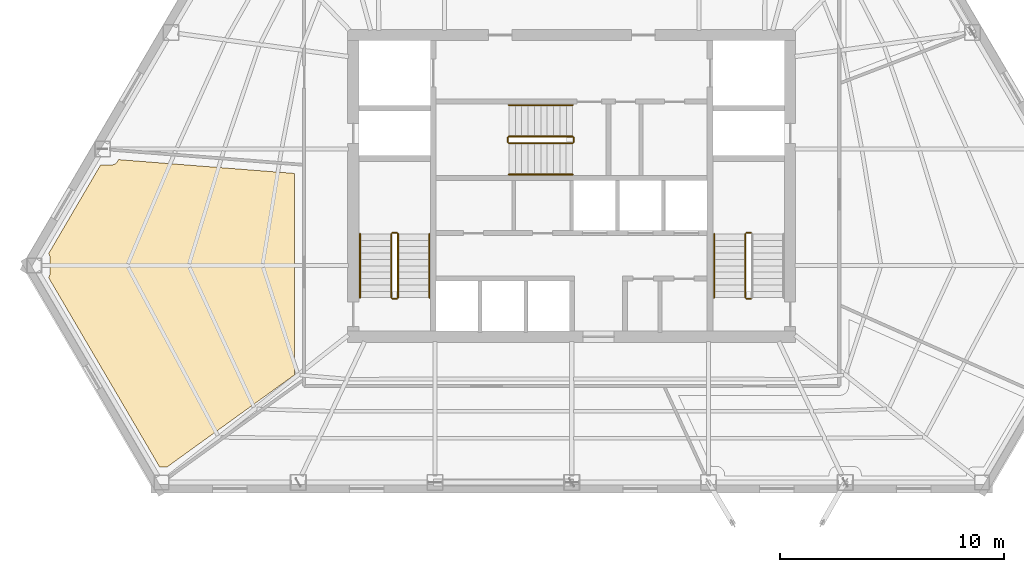
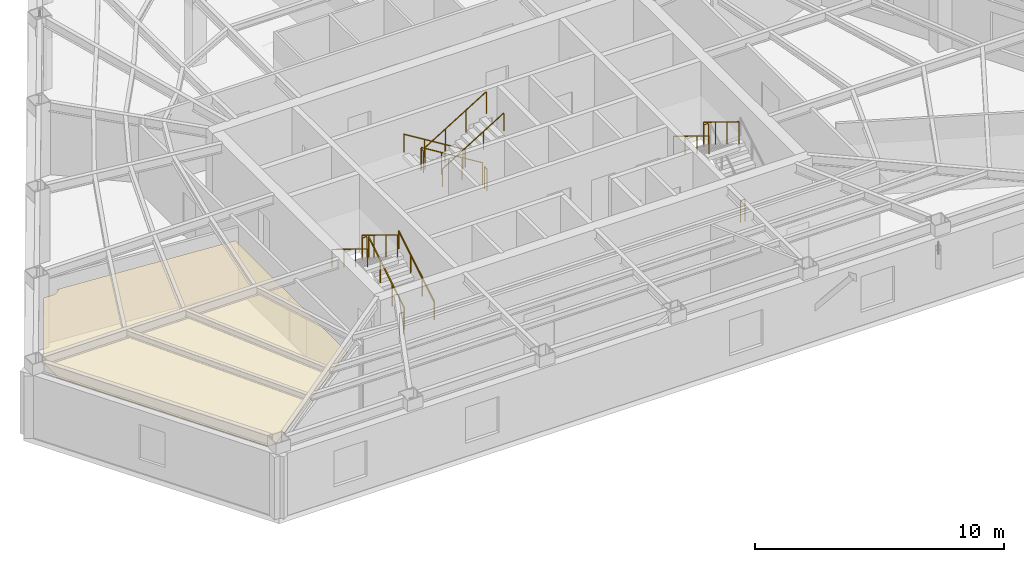
# One storey, part 12 of 13: 16 railings, 1 covering.
"""IFC4 building model written with IfcOpenShell, lengths in metres."""

from ifc_helpers import new_model, si_unit, direction, frame, origin, origin_2d, place, context, subcontext, project, spatial, polyline, circle, outline, extrude, material, layer, layer_set, type_object, element, save


model = new_model("IFC4")

# Units and contexts
model_context = context("Model", 3, precision=1e-05, world=origin(), true_north=direction((0.0, 1.0)))
body_context = subcontext(model_context, "Body", "Model", "MODEL_VIEW")
ifc_project = project(units=[si_unit("LENGTHUNIT", "METRE"), si_unit("AREAUNIT", "SQUARE_METRE"), si_unit("VOLUMEUNIT", "CUBIC_METRE"), si_unit("PLANEANGLEUNIT", "RADIAN"), si_unit("MASSUNIT", "GRAM", prefix="KILO")], contexts=[model_context])

# Site, building, storey
site_placement = place(None, origin())
site = spatial("IfcSite", under=ifc_project, at=site_placement, CompositionType="ELEMENT")
building_placement = place(site_placement, origin())
building = spatial("IfcBuilding", under=site, at=building_placement, Name="Kavelnor Concourse Tower", CompositionType="ELEMENT")
storey_placement = place(building_placement, frame((0.0, 0.0, 131.699951171875)))
storey = spatial("IfcBuildingStorey", under=building, at=storey_placement, Name="L33", CompositionType="ELEMENT", Elevation=131.699951171875)

# Covering
ifc_material_1 = material(Name="Mineral fibre acoustic ceiling tile")
ifc_layer = layer(ifc_material_1, 0.0400390625, Name="Mineral fibre acoustic ceiling tile")
ifc_layer_set = layer_set([ifc_layer], Name="Mineral fibre acoustic ceiling tile")
covering_type = type_object("IfcCoveringType", Name="COV-CEILING-ACOUSTIC", PredefinedType="CEILING", material=ifc_layer_set)
covering_placement = place(storey_placement, frame((0.0, 0.0, 2.75)))
element("IfcCovering", 1, at=covering_placement, inside=storey, type_object=covering_type, Name="L33 Suspended Acoustic Ceiling", PredefinedType="CEILING", context=body_context, shape_type="SweptSolid", body=[
    extrude(outline(polyline([(14.619140625, 12.023193359375), (14.63427734375, 12.055419921875), (14.646240234375, 12.088623046875), (14.65478515625, 12.122802734375), (14.659912109375, 12.157958984375), (14.661376953125, 12.184814453125), (14.661376953125, 12.881591796875), (14.659912109375, 12.908447265625), (14.65478515625, 12.943603515625), (14.646240234375, 12.977783203125), (14.63427734375, 13.010986328125), (14.619140625, 13.043212890625), (14.601806640625, 13.072021484375), (16.921142578125, 17.02734375), (17.38720703125, 17.02734375), (17.4140625, 17.028564453125), (17.44921875, 17.03369140625), (17.4833984375, 17.04248046875), (17.5166015625, 17.05419921875), (17.548583984375, 17.0693359375), (17.5791015625, 17.087646484375), (17.607421875, 17.108642578125), (17.633544921875, 17.132568359375), (17.657470703125, 17.15869140625), (17.678466796875, 17.18701171875), (17.69677734375, 17.21728515625), (17.7119140625, 17.24951171875), (17.72119140625, 17.27587890625), (25.607421875, 16.65673828125), (25.607421875, 7.6533203125), (19.90869140625, 3.53369140625), (19.56298828125, 3.53369140625), (14.601806640625, 11.994384765625), (14.619140625, 12.023193359375)])), origin(), (0.0, 0.0, 1.0), 0.0400390625),
])

# Railings
ifc_material_2 = material(Name="Steel Grade 350", Category="steel")
railing_type_1 = type_object("IfcRailingType", Name="RLG-GUARD-1100", PredefinedType="GUARDRAIL", material=ifc_material_2)
railing_1_placement = place(storey_placement, frame((30.22998046875, 11.10009765625, 0.175048828125)))
element("IfcRailing", 2, at=railing_1_placement, inside=storey, type_object=railing_type_1, Name="L33 ST1 stair guard 1", PredefinedType="GUARDRAIL", context=body_context, shape_type="SweptSolid", body=[
    extrude(circle(Radius=0.02392578125, at=origin_2d()), frame((0.0, 0.0, 1.076171875), z_axis=(0.0, 0.852159232446, 0.523282564737), x_axis=(-1.0, 0.0, 0.0)), (0.0, 0.0, 1.0), 3.34423828125),
    extrude(circle(Radius=0.02099609375, at=origin_2d()), origin(), (0.0, 0.0, 1.0), 1.052001953125),
    extrude(circle(Radius=0.02099609375, at=origin_2d()), frame((0.0, 0.949951171875, 0.583251953125)), (0.0, 0.0, 1.0), 1.052001953125),
    extrude(circle(Radius=0.02099609375, at=origin_2d()), frame((0.0, 1.89990234375, 1.166748046875)), (0.0, 0.0, 1.0), 1.052001953125),
    extrude(circle(Radius=0.02099609375, at=origin_2d()), frame((0.0, 2.849853515625, 1.75)), (0.0, 0.0, 1.0), 1.052001953125),
])
railing_2_placement = place(storey_placement, frame((30.179931640625, 14.0, 1.925048828125)))
element("IfcRailing", 3, at=railing_2_placement, inside=storey, type_object=railing_type_1, Name="L33 ST1 stair guard 2", PredefinedType="GUARDRAIL", context=body_context, shape_type="SweptSolid", body=[
    extrude(circle(Radius=0.02392578125, at=origin_2d()), frame((0.0, 0.0, 1.076171875), z_axis=(-1.0, 0.0, 0.0), x_axis=(0.0, -1.0, 0.0)), (0.0, 0.0, 1.0), 0.199951171875),
    extrude(circle(Radius=0.02099609375, at=origin_2d()), origin(), (0.0, 0.0, 1.0), 1.052001953125),
    extrude(circle(Radius=0.02099609375, at=origin_2d()), frame((-0.199951171875, 0.0, 0.0)), (0.0, 0.0, 1.0), 1.052001953125),
])
railing_3_placement = place(storey_placement, frame((29.929931640625, 13.949951171875, 2.10009765625)))
element("IfcRailing", 4, at=railing_3_placement, inside=storey, type_object=railing_type_1, Name="L33 ST1 stair guard 3", PredefinedType="GUARDRAIL", context=body_context, shape_type="SweptSolid", body=[
    extrude(circle(Radius=0.02392578125, at=origin_2d()), frame((0.0, 0.0, 1.076171875), z_axis=(0.0, -0.852159232446, 0.523282564737), x_axis=(1.0, 0.0, 0.0)), (0.0, 0.0, 1.0), 3.34423828125),
    extrude(circle(Radius=0.02099609375, at=origin_2d()), origin(), (0.0, 0.0, 1.0), 1.052001953125),
    extrude(circle(Radius=0.02099609375, at=origin_2d()), frame((0.0, -0.949951171875, 0.583251953125)), (0.0, 0.0, 1.0), 1.052001953125),
    extrude(circle(Radius=0.02099609375, at=origin_2d()), frame((0.0, -1.89990234375, 1.166748046875)), (0.0, 0.0, 1.0), 1.052001953125),
    extrude(circle(Radius=0.02099609375, at=origin_2d()), frame((0.0, -2.849853515625, 1.75)), (0.0, 0.0, 1.0), 1.052001953125),
])
for number, where, name in (
    (5, (30.179931640625, 11.050048828125, 0.0), "L33 ST1 stair guard 4"),
    (6, (46.02001953125, 14.0, 1.925048828125), "L33 ST2 stair guard 2"),
):
    element("IfcRailing", number, at=place(storey_placement, frame(where)), inside=storey, type_object=railing_type_1, Name=name, PredefinedType="GUARDRAIL", context=body_context, shape_type="SweptSolid", body=[
        extrude(circle(Radius=0.02392578125, at=origin_2d()), frame((0.0, 0.0, 1.076171875), z_axis=(-1.0, 0.0, 0.0), x_axis=(0.0, -1.0, 0.0)), (0.0, 0.0, 1.0), 0.199951171875),
        extrude(circle(Radius=0.02099609375, at=origin_2d()), origin(), (0.0, 0.0, 1.0), 1.052001953125),
        extrude(circle(Radius=0.02099609375, at=origin_2d()), frame((-0.199951171875, 0.0, 0.0)), (0.0, 0.0, 1.0), 1.052001953125),
    ])
railing_4_placement = place(storey_placement, frame((45.77001953125, 13.949951171875, 2.10009765625)))
element("IfcRailing", 7, at=railing_4_placement, inside=storey, type_object=railing_type_1, Name="L33 ST2 stair guard 3", PredefinedType="GUARDRAIL", context=body_context, shape_type="SweptSolid", body=[
    extrude(circle(Radius=0.02392578125, at=origin_2d()), frame((0.0, 0.0, 1.076171875), z_axis=(0.0, -0.852159232446, 0.523282564737), x_axis=(1.0, 0.0, 0.0)), (0.0, 0.0, 1.0), 3.34423828125),
    extrude(circle(Radius=0.02099609375, at=origin_2d()), origin(), (0.0, 0.0, 1.0), 1.052001953125),
    extrude(circle(Radius=0.02099609375, at=origin_2d()), frame((0.0, -0.949951171875, 0.583251953125)), (0.0, 0.0, 1.0), 1.052001953125),
    extrude(circle(Radius=0.02099609375, at=origin_2d()), frame((0.0, -1.89990234375, 1.166748046875)), (0.0, 0.0, 1.0), 1.052001953125),
    extrude(circle(Radius=0.02099609375, at=origin_2d()), frame((0.0, -2.849853515625, 1.75)), (0.0, 0.0, 1.0), 1.052001953125),
])
railing_5_placement = place(storey_placement, frame((46.02001953125, 11.050048828125, 0.0)))
element("IfcRailing", 8, at=railing_5_placement, inside=storey, type_object=railing_type_1, Name="L33 ST2 stair guard 4", PredefinedType="GUARDRAIL", context=body_context, shape_type="SweptSolid", body=[
    extrude(circle(Radius=0.02392578125, at=origin_2d()), frame((0.0, 0.0, 1.076171875), z_axis=(-1.0, 0.0, 0.0), x_axis=(0.0, -1.0, 0.0)), (0.0, 0.0, 1.0), 0.199951171875),
    extrude(circle(Radius=0.02099609375, at=origin_2d()), origin(), (0.0, 0.0, 1.0), 1.052001953125),
    extrude(circle(Radius=0.02099609375, at=origin_2d()), frame((-0.199951171875, 0.0, 0.0)), (0.0, 0.0, 1.0), 1.052001953125),
])
railing_6_placement = place(storey_placement, frame((38.0400390625, 18.31005859375, 0.175048828125)))
element("IfcRailing", 9, at=railing_6_placement, inside=storey, type_object=railing_type_1, Name="L33 ST3 stair guard 1", PredefinedType="GUARDRAIL", context=body_context, shape_type="SweptSolid", body=[
    extrude(circle(Radius=0.02392578125, at=origin_2d()), frame((0.0, 0.0, 1.076171875), z_axis=(-0.852179220489, 0.0, 0.52325001306), x_axis=(0.0, -1.0, 0.0)), (0.0, 0.0, 1.0), 3.344482421875),
    extrude(circle(Radius=0.02099609375, at=origin_2d()), origin(), (0.0, 0.0, 1.0), 1.052001953125),
    extrude(circle(Radius=0.02099609375, at=origin_2d()), frame((-0.949951171875, 0.0, 0.583251953125)), (0.0, 0.0, 1.0), 1.052001953125),
    extrude(circle(Radius=0.02099609375, at=origin_2d()), frame((-1.900146484375, 0.0, 1.166748046875)), (0.0, 0.0, 1.0), 1.052001953125),
    extrude(circle(Radius=0.02099609375, at=origin_2d()), frame((-2.85009765625, 0.0, 1.75)), (0.0, 0.0, 1.0), 1.052001953125),
])
railing_7_placement = place(storey_placement, frame((35.139892578125, 18.260009765625, 1.925048828125)))
element("IfcRailing", 10, at=railing_7_placement, inside=storey, type_object=railing_type_1, Name="L33 ST3 stair guard 2", PredefinedType="GUARDRAIL", context=body_context, shape_type="SweptSolid", body=[
    extrude(circle(Radius=0.02392578125, at=origin_2d()), frame((0.0, 0.0, 1.076171875), z_axis=(0.0, -1.0, 0.0), x_axis=(1.0, 0.0, 0.0)), (0.0, 0.0, 1.0), 0.199951171875),
    extrude(circle(Radius=0.02099609375, at=origin_2d()), origin(), (0.0, 0.0, 1.0), 1.052001953125),
    extrude(circle(Radius=0.02099609375, at=origin_2d()), frame((0.0, -0.199951171875, 0.0)), (0.0, 0.0, 1.0), 1.052001953125),
])
railing_8_placement = place(storey_placement, frame((35.18994140625, 18.010009765625, 2.10009765625)))
element("IfcRailing", 11, at=railing_8_placement, inside=storey, type_object=railing_type_1, Name="L33 ST3 stair guard 3", PredefinedType="GUARDRAIL", context=body_context, shape_type="SweptSolid", body=[
    extrude(circle(Radius=0.02392578125, at=origin_2d()), frame((0.0, 0.0, 1.076171875), z_axis=(0.852179220489, 0.0, 0.52325001306), x_axis=(0.0, 1.0, 0.0)), (0.0, 0.0, 1.0), 3.344482421875),
    extrude(circle(Radius=0.02099609375, at=origin_2d()), origin(), (0.0, 0.0, 1.0), 1.052001953125),
    extrude(circle(Radius=0.02099609375, at=origin_2d()), frame((0.949951171875, 0.0, 0.583251953125)), (0.0, 0.0, 1.0), 1.052001953125),
    extrude(circle(Radius=0.02099609375, at=origin_2d()), frame((1.900146484375, 0.0, 1.166748046875)), (0.0, 0.0, 1.0), 1.052001953125),
    extrude(circle(Radius=0.02099609375, at=origin_2d()), frame((2.85009765625, 0.0, 1.75)), (0.0, 0.0, 1.0), 1.052001953125),
])
railing_9_placement = place(storey_placement, frame((38.090087890625, 18.260009765625, 0.0)))
element("IfcRailing", 12, at=railing_9_placement, inside=storey, type_object=railing_type_1, Name="L33 ST3 stair guard 4", PredefinedType="GUARDRAIL", context=body_context, shape_type="SweptSolid", body=[
    extrude(circle(Radius=0.02392578125, at=origin_2d()), frame((0.0, 0.0, 1.076171875), z_axis=(0.0, -1.0, 0.0), x_axis=(1.0, 0.0, 0.0)), (0.0, 0.0, 1.0), 0.199951171875),
    extrude(circle(Radius=0.02099609375, at=origin_2d()), origin(), (0.0, 0.0, 1.0), 1.052001953125),
    extrude(circle(Radius=0.02099609375, at=origin_2d()), frame((0.0, -0.199951171875, 0.0)), (0.0, 0.0, 1.0), 1.052001953125),
])
railing_type_2 = type_object("IfcRailingType", Name="RLG-HANDRAIL-900", PredefinedType="HANDRAIL", material=ifc_material_2)
railing_10_placement = place(storey_placement, frame((31.6298828125, 11.10009765625, 0.175048828125)))
element("IfcRailing", 13, at=railing_10_placement, inside=storey, type_object=railing_type_2, Name="L33 ST1 stair handrail 1", PredefinedType="HANDRAIL", context=body_context, shape_type="SweptSolid", body=[
    extrude(circle(Radius=0.02392578125, at=origin_2d()), frame((0.0, 0.0, 0.8759765625), z_axis=(0.0, 0.852159232446, 0.523282564737), x_axis=(-1.0, 0.0, 0.0)), (0.0, 0.0, 1.0), 3.34423828125),
    extrude(circle(Radius=0.02099609375, at=origin_2d()), origin(), (0.0, 0.0, 1.0), 0.851806640625),
    extrude(circle(Radius=0.02099609375, at=origin_2d()), frame((0.0, 0.949951171875, 0.583251953125)), (0.0, 0.0, 1.0), 0.851806640625),
    extrude(circle(Radius=0.02099609375, at=origin_2d()), frame((0.0, 1.89990234375, 1.166748046875)), (0.0, 0.0, 1.0), 0.851806640625),
    extrude(circle(Radius=0.02099609375, at=origin_2d()), frame((0.0, 2.849853515625, 1.75)), (0.0, 0.0, 1.0), 0.851806640625),
])
for number, where, name in (
    (14, (28.530029296875, 13.949951171875, 2.10009765625), "L33 ST1 stair handrail 2"),
    (15, (44.3701171875, 13.949951171875, 2.10009765625), "L33 ST2 stair handrail 2"),
):
    element("IfcRailing", number, at=place(storey_placement, frame(where)), inside=storey, type_object=railing_type_2, Name=name, PredefinedType="HANDRAIL", context=body_context, shape_type="SweptSolid", body=[
        extrude(circle(Radius=0.02392578125, at=origin_2d()), frame((0.0, 0.0, 0.8759765625), z_axis=(0.0, -0.852159232446, 0.523282564737), x_axis=(1.0, 0.0, 0.0)), (0.0, 0.0, 1.0), 3.34423828125),
        extrude(circle(Radius=0.02099609375, at=origin_2d()), origin(), (0.0, 0.0, 1.0), 0.851806640625),
        extrude(circle(Radius=0.02099609375, at=origin_2d()), frame((0.0, -0.949951171875, 0.583251953125)), (0.0, 0.0, 1.0), 0.851806640625),
        extrude(circle(Radius=0.02099609375, at=origin_2d()), frame((0.0, -1.89990234375, 1.166748046875)), (0.0, 0.0, 1.0), 0.851806640625),
        extrude(circle(Radius=0.02099609375, at=origin_2d()), frame((0.0, -2.849853515625, 1.75)), (0.0, 0.0, 1.0), 0.851806640625),
    ])
railing_11_placement = place(storey_placement, frame((38.0400390625, 19.7099609375, 0.175048828125)))
element("IfcRailing", 16, at=railing_11_placement, inside=storey, type_object=railing_type_2, Name="L33 ST3 stair handrail 1", PredefinedType="HANDRAIL", context=body_context, shape_type="SweptSolid", body=[
    extrude(circle(Radius=0.02392578125, at=origin_2d()), frame((0.0, 0.0, 0.8759765625), z_axis=(-0.852179220489, 0.0, 0.52325001306), x_axis=(0.0, -1.0, 0.0)), (0.0, 0.0, 1.0), 3.344482421875),
    extrude(circle(Radius=0.02099609375, at=origin_2d()), origin(), (0.0, 0.0, 1.0), 0.851806640625),
    extrude(circle(Radius=0.02099609375, at=origin_2d()), frame((-0.949951171875, 0.0, 0.583251953125)), (0.0, 0.0, 1.0), 0.851806640625),
    extrude(circle(Radius=0.02099609375, at=origin_2d()), frame((-1.900146484375, 0.0, 1.166748046875)), (0.0, 0.0, 1.0), 0.851806640625),
    extrude(circle(Radius=0.02099609375, at=origin_2d()), frame((-2.85009765625, 0.0, 1.75)), (0.0, 0.0, 1.0), 0.851806640625),
])
railing_12_placement = place(storey_placement, frame((35.18994140625, 16.610107421875, 2.10009765625)))
element("IfcRailing", 17, at=railing_12_placement, inside=storey, type_object=railing_type_2, Name="L33 ST3 stair handrail 2", PredefinedType="HANDRAIL", context=body_context, shape_type="SweptSolid", body=[
    extrude(circle(Radius=0.02392578125, at=origin_2d()), frame((0.0, 0.0, 0.8759765625), z_axis=(0.852179220489, 0.0, 0.52325001306), x_axis=(0.0, 1.0, 0.0)), (0.0, 0.0, 1.0), 3.344482421875),
    extrude(circle(Radius=0.02099609375, at=origin_2d()), origin(), (0.0, 0.0, 1.0), 0.851806640625),
    extrude(circle(Radius=0.02099609375, at=origin_2d()), frame((0.949951171875, 0.0, 0.583251953125)), (0.0, 0.0, 1.0), 0.851806640625),
    extrude(circle(Radius=0.02099609375, at=origin_2d()), frame((1.900146484375, 0.0, 1.166748046875)), (0.0, 0.0, 1.0), 0.851806640625),
    extrude(circle(Radius=0.02099609375, at=origin_2d()), frame((2.85009765625, 0.0, 1.75)), (0.0, 0.0, 1.0), 0.851806640625),
])

save(model, "model.ifc")
